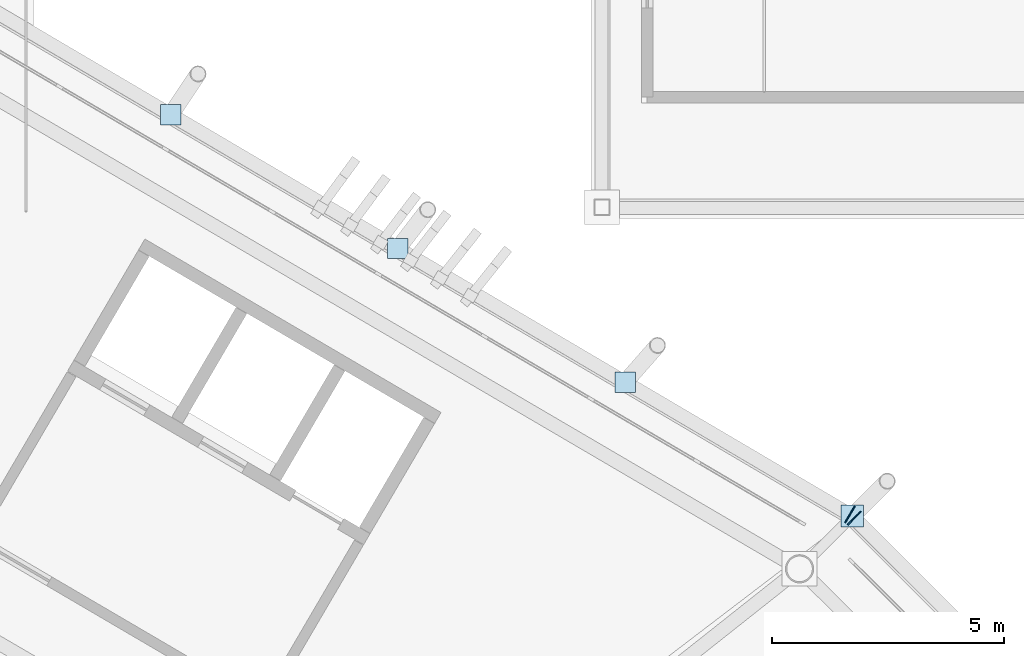
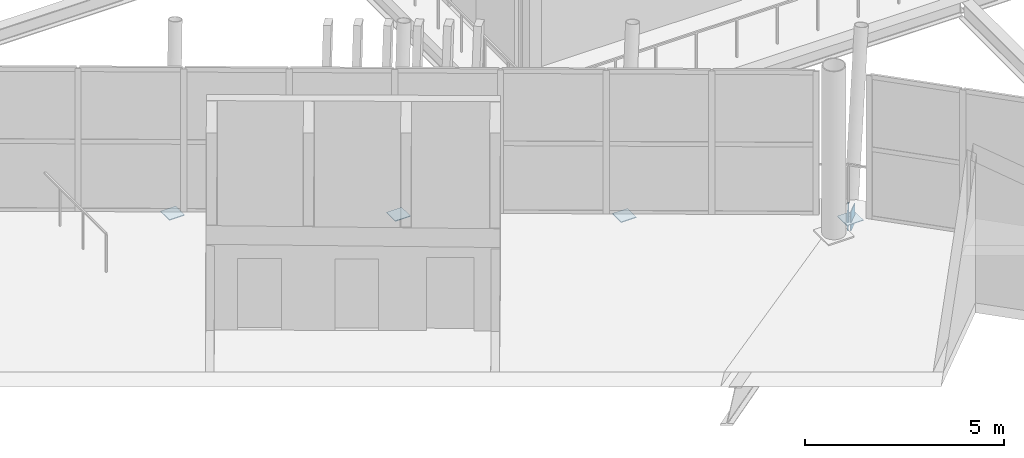
# One storey, part 119 of 178: 6 plates.
"""IFC4 building model written with IfcOpenShell, lengths in metres."""

from ifc_helpers import new_model, si_unit, direction, frame, origin, origin_2d, place, context, subcontext, project, spatial, rectangle, extrude, material, layer, layer_set, type_object, element, save


model = new_model("IFC4")

# Units and contexts
model_context = context("Model", 3, precision=1e-05, world=origin(), true_north=direction((0.0, 1.0)))
body_context = subcontext(model_context, "Body", "Model", "MODEL_VIEW")
ifc_project = project(units=[si_unit("LENGTHUNIT", "METRE"), si_unit("AREAUNIT", "SQUARE_METRE"), si_unit("VOLUMEUNIT", "CUBIC_METRE"), si_unit("PLANEANGLEUNIT", "RADIAN"), si_unit("MASSUNIT", "GRAM", prefix="KILO")], contexts=[model_context])

# Site, building, storey
site_placement = place(None, origin())
site = spatial("IfcSite", under=ifc_project, at=site_placement, CompositionType="ELEMENT")
building_placement = place(site_placement, origin())
building = spatial("IfcBuilding", under=site, at=building_placement, Name="Zlatoyarsky Gate Stadium", CompositionType="ELEMENT")
storey_placement = place(building_placement, frame((0.0, 0.0, 5.39990234375)))
storey = spatial("IfcBuildingStorey", under=building, at=storey_placement, Name="L01", CompositionType="ELEMENT", Elevation=5.39990234375)

# Plates
ifc_material = material(Name="Steel S355", Category="steel")
ifc_layer = layer(ifc_material, 0.02392578125)
ifc_layer_set = layer_set([ifc_layer], Name="Steel S355")
plate_type = type_object("IfcPlateType", Name="STEEL HOLLOW CHORD SPLICE SHEET 24", PredefinedType="SHEET", material=ifc_layer_set)
for number, where, z_axis, x_axis, name in (
    (1, (177.940673828125, 131.299560546875, -0.849853515625), (0.0, 0.0, 1.0), (-0.707043292995, 0.707170263678, 0.0), "Hollow end cap ND-SP1 CAP-L01-SPD-02 B"),
    (2, (177.8466796875, 131.372314453125, -0.849853515625), (0.0, 0.0, 1.0), (-0.861685850781, 0.50744210957, 0.0), "Hollow end cap ND-SP1 CAP-L01-SPD-03 A"),
):
    element("IfcPlate", number, at=place(storey_placement, frame(where, z_axis=z_axis, x_axis=x_axis)), inside=storey, type_object=plate_type, Name=name, PredefinedType="SHEET", context=body_context, shape_type="SweptSolid", body=[
        extrude(rectangle(XDim=0.02392578125, YDim=0.39990234375, at=origin_2d()), origin(), (0.0, 0.0, 1.0), 0.60009765625),
    ])
plate_placement = place(storey_placement, frame((177.898193359375, 131.342041015625, -0.61181640625), z_axis=(0.0, 0.0, 1.0), x_axis=(1.0, 0.0, 0.0)))
element("IfcPlate", 3, at=plate_placement, inside=storey, type_object=plate_type, Name="Node closure plate ND-SP1 NCAP-L01-RSTR-03", PredefinedType="SHEET", context=body_context, shape_type="SweptSolid", body=[
    extrude(rectangle(XDim=0.47998046875, YDim=0.47998046875, at=origin_2d()), origin(), (0.0, 0.0, 1.0), 0.02392578125),
])
for number, where, z_axis, x_axis, name in (
    (4, (172.999755859375, 134.226806640625, -0.561767578125), (0.0, 0.0, 1.0), (1.0, 0.0, 0.0), "Node closure plate ND-SP1 NCAP-RIB-03-1-0B"),
    (5, (168.101318359375, 137.111328125, -0.561767578125), (0.0, 0.0, 1.0), (1.0, 0.0, 0.0), "Node closure plate ND-SP1 NCAP-RIB-03-2-0B"),
    (6, (163.202880859375, 139.99609375, -0.561767578125), (0.0, 0.0, 1.0), (1.0, 0.0, 0.0), "Node closure plate ND-SP1 NCAP-RIB-03-3-0B"),
):
    element("IfcPlate", number, at=place(storey_placement, frame(where, z_axis=z_axis, x_axis=x_axis)), inside=storey, type_object=plate_type, Name=name, PredefinedType="SHEET", context=body_context, shape_type="SweptSolid", body=[
        extrude(rectangle(XDim=0.43994140625, YDim=0.43994140625, at=origin_2d()), origin(), (0.0, 0.0, 1.0), 0.02392578125),
    ])

save(model, "model.ifc")
